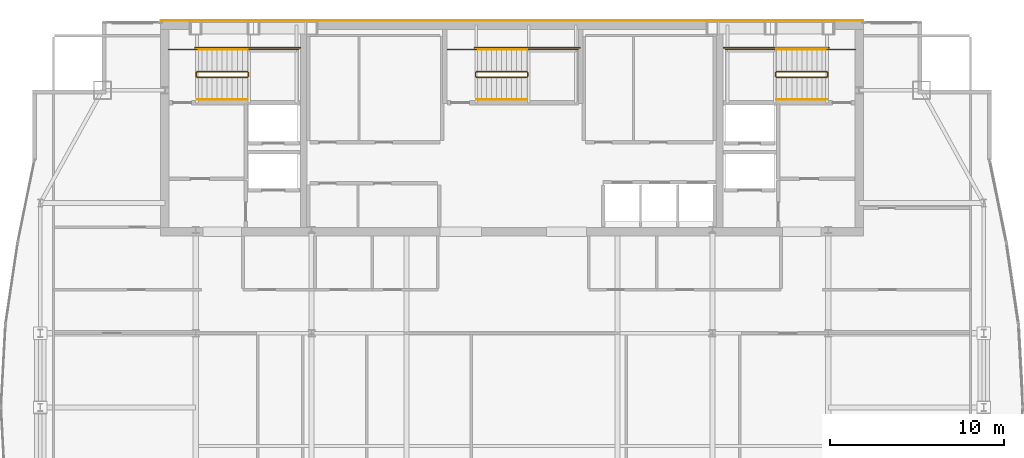
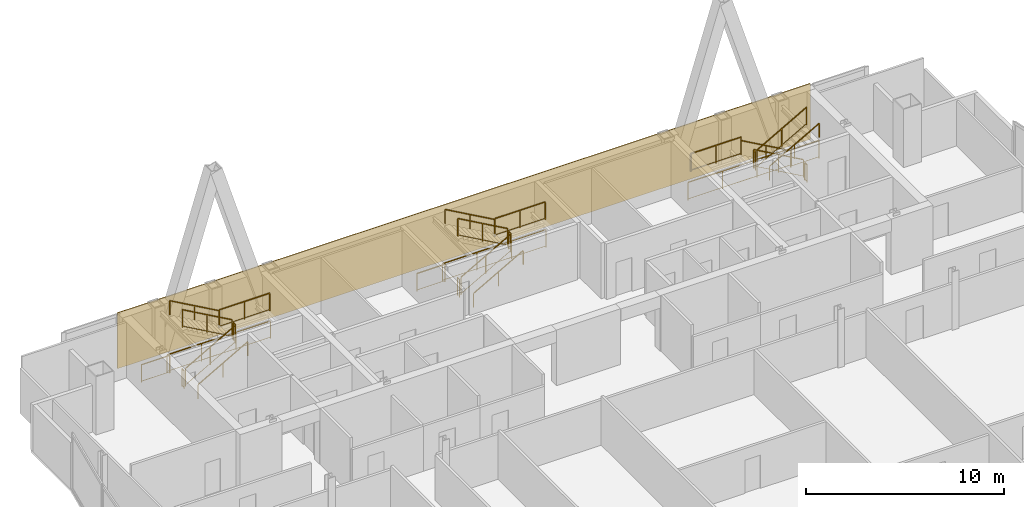
# One storey, part 31 of 31: 27 railings, 1 covering.
"""IFC4 building model written with IfcOpenShell, lengths in metres."""

from ifc_helpers import new_model, si_unit, direction, frame, origin, origin_2d, place, context, subcontext, project, spatial, polyline, rectangle, outline, extrude, material, layer, layer_set, type_object, element, save


model = new_model("IFC4")

# Units and contexts
model_context = context("Model", 3, precision=1e-05, world=origin(), true_north=direction((0.0, 1.0)))
body_context = subcontext(model_context, "Body", "Model", "MODEL_VIEW")
ifc_project = project(units=[si_unit("LENGTHUNIT", "METRE"), si_unit("AREAUNIT", "SQUARE_METRE"), si_unit("VOLUMEUNIT", "CUBIC_METRE"), si_unit("PLANEANGLEUNIT", "RADIAN"), si_unit("MASSUNIT", "GRAM", prefix="KILO")], contexts=[model_context])

# Site, building, storey
site_placement = place(None, origin())
site = spatial("IfcSite", under=ifc_project, at=site_placement, CompositionType="ELEMENT")
building_placement = place(site_placement, origin())
building = spatial("IfcBuilding", under=site, at=building_placement, Name="Khoronbel Lancet Exchange", CompositionType="ELEMENT")
storey_placement = place(building_placement, frame((0.0, 0.0, 273.39990234375)))
storey = spatial("IfcBuildingStorey", under=building, at=storey_placement, Name="L70", CompositionType="ELEMENT", Elevation=273.39990234375)

# Covering
ifc_material_1 = material(Name="Honed Egyptian Limestone & Bronze Rainscreen", Category="masonry")
ifc_layer = layer(ifc_material_1, 0.050048828125, Name="Honed Egyptian Limestone & Bronze Rainscreen")
ifc_layer_set = layer_set([ifc_layer], Name="Honed Egyptian Limestone & Bronze Rainscreen")
covering_type = type_object("IfcCoveringType", Name="COV-CLAD1", PredefinedType="CLADDING", material=ifc_layer_set)
covering_placement = place(storey_placement, origin())
element("IfcCovering", 1, at=covering_placement, inside=storey, type_object=covering_type, Name="Level L70 north rear-core stone and bronze rainscreen cladding", PredefinedType="CLADDING", context=body_context, shape_type="SweptSolid", body=[
    extrude(outline(polyline([(16.199951171875, 53.699951171875), (56.699951171875, 53.699951171875), (56.699951171875, 53.75), (16.199951171875, 53.75), (16.199951171875, 53.699951171875)])), origin(), (0.0, 0.0, 1.0), 3.440185546875),
])

# Railings
ifc_material_2 = material(Name="Painted Steel Balustrade", Category="steel")
railing_type_1 = type_object("IfcRailingType", Name="RL-STG110", PredefinedType="GUARDRAIL", material=ifc_material_2)
railing_1_placement = place(storey_placement, frame((18.300048828125, 50.449951171875, 0.163818359375)))
element("IfcRailing", 2, at=railing_1_placement, inside=storey, type_object=railing_type_1, Name="L70 ST1 stair guard 1", PredefinedType="GUARDRAIL", context=body_context, shape_type="SweptSolid", body=[
    extrude(rectangle(XDim=0.048095703125, YDim=0.048095703125, at=origin_2d()), frame((0.0, 0.0, 1.09619140625), z_axis=(0.870928581787, 0.0, 0.491409610636), x_axis=(0.0, 1.0, 0.0)), (0.0, 0.0, 1.0), 3.32958984375),
    extrude(rectangle(XDim=0.02392578125, YDim=0.02392578125, at=origin_2d()), frame((0.0, 0.0, 0.080078125), z_axis=(0.870928581787, 0.0, 0.491409610636), x_axis=(0.0, 1.0, 0.0)), (0.0, 0.0, 1.0), 3.32958984375),
    extrude(rectangle(XDim=0.0419921875, YDim=0.0419921875, at=origin_2d()), origin(), (0.0, 0.0, 1.0), 1.072021484375),
    extrude(rectangle(XDim=0.0419921875, YDim=0.0419921875, at=origin_2d()), frame((1.449951171875, 0.0, 0.818115234375)), (0.0, 0.0, 1.0), 1.072021484375),
    extrude(rectangle(XDim=0.0419921875, YDim=0.0419921875, at=origin_2d()), frame((2.89990234375, 0.0, 1.63623046875)), (0.0, 0.0, 1.0), 1.072021484375),
])
railing_2_placement = place(storey_placement, frame((21.25, 50.5, 1.800048828125)))
element("IfcRailing", 3, at=railing_2_placement, inside=storey, type_object=railing_type_1, Name="L70 ST1 stair guard 2", PredefinedType="GUARDRAIL", context=body_context, shape_type="SweptSolid", body=[
    extrude(rectangle(XDim=0.048095703125, YDim=0.048095703125, at=origin_2d()), frame((0.0, 0.0, 1.09619140625), z_axis=(0.0, 1.0, 0.0), x_axis=(-1.0, 0.0, 0.0)), (0.0, 0.0, 1.0), 0.219970703125),
    extrude(rectangle(XDim=0.02392578125, YDim=0.02392578125, at=origin_2d()), frame((0.0, 0.0, 0.080078125), z_axis=(0.0, 1.0, 0.0), x_axis=(-1.0, 0.0, 0.0)), (0.0, 0.0, 1.0), 0.219970703125),
    extrude(rectangle(XDim=0.0419921875, YDim=0.0419921875, at=origin_2d()), origin(), (0.0, 0.0, 1.0), 1.072021484375),
    extrude(rectangle(XDim=0.0419921875, YDim=0.0419921875, at=origin_2d()), frame((0.0, 0.219970703125, 0.0)), (0.0, 0.0, 1.0), 1.072021484375),
])
railing_3_placement = place(storey_placement, frame((21.199951171875, 52.050048828125, 1.800048828125)))
element("IfcRailing", 4, at=railing_3_placement, inside=storey, type_object=railing_type_1, Name="L70 ST1 stair guard 3", PredefinedType="GUARDRAIL", context=body_context, shape_type="SweptSolid", body=[
    extrude(rectangle(XDim=0.048095703125, YDim=0.048095703125, at=origin_2d()), frame((0.0, 0.0, 1.09619140625), z_axis=(1.0, 0.0, 0.0), x_axis=(0.0, 1.0, 0.0)), (0.0, 0.0, 1.0), 2.949951171875),
    extrude(rectangle(XDim=0.02392578125, YDim=0.02392578125, at=origin_2d()), frame((0.0, 0.0, 0.080078125), z_axis=(1.0, 0.0, 0.0), x_axis=(0.0, 1.0, 0.0)), (0.0, 0.0, 1.0), 2.949951171875),
    extrude(rectangle(XDim=0.0419921875, YDim=0.0419921875, at=origin_2d()), origin(), (0.0, 0.0, 1.0), 1.072021484375),
    extrude(rectangle(XDim=0.0419921875, YDim=0.0419921875, at=origin_2d()), frame((1.47509765625, 0.0, 0.0)), (0.0, 0.0, 1.0), 1.072021484375),
    extrude(rectangle(XDim=0.0419921875, YDim=0.0419921875, at=origin_2d()), frame((2.949951171875, 0.0, 0.0)), (0.0, 0.0, 1.0), 1.072021484375),
])
railing_4_placement = place(storey_placement, frame((21.199951171875, 50.77001953125, 1.963623046875)))
element("IfcRailing", 5, at=railing_4_placement, inside=storey, type_object=railing_type_1, Name="L70 ST1 stair guard 4", PredefinedType="GUARDRAIL", context=body_context, shape_type="SweptSolid", body=[
    extrude(rectangle(XDim=0.048095703125, YDim=0.048095703125, at=origin_2d()), frame((0.0, 0.0, 1.09619140625), z_axis=(-0.870897200241, 0.0, 0.491465224214), x_axis=(0.0, -1.0, 0.0)), (0.0, 0.0, 1.0), 3.329833984375),
    extrude(rectangle(XDim=0.02392578125, YDim=0.02392578125, at=origin_2d()), frame((0.0, 0.0, 0.080078125), z_axis=(-0.870897200241, 0.0, 0.491465224214), x_axis=(0.0, -1.0, 0.0)), (0.0, 0.0, 1.0), 3.329833984375),
    extrude(rectangle(XDim=0.0419921875, YDim=0.0419921875, at=origin_2d()), origin(), (0.0, 0.0, 1.0), 1.072021484375),
    extrude(rectangle(XDim=0.0419921875, YDim=0.0419921875, at=origin_2d()), frame((-1.449951171875, 0.0, 0.818359375)), (0.0, 0.0, 1.0), 1.072021484375),
    extrude(rectangle(XDim=0.0419921875, YDim=0.0419921875, at=origin_2d()), frame((-2.89990234375, 0.0, 1.636474609375)), (0.0, 0.0, 1.0), 1.072021484375),
])
railing_5_placement = place(storey_placement, frame((18.25, 50.5, 0.0)))
element("IfcRailing", 6, at=railing_5_placement, inside=storey, type_object=railing_type_1, Name="L70 ST1 stair guard 5", PredefinedType="GUARDRAIL", context=body_context, shape_type="SweptSolid", body=[
    extrude(rectangle(XDim=0.048095703125, YDim=0.048095703125, at=origin_2d()), frame((0.0, 0.0, 1.09619140625), z_axis=(0.0, 1.0, 0.0), x_axis=(-1.0, 0.0, 0.0)), (0.0, 0.0, 1.0), 0.219970703125),
    extrude(rectangle(XDim=0.02392578125, YDim=0.02392578125, at=origin_2d()), frame((0.0, 0.0, 0.080078125), z_axis=(0.0, 1.0, 0.0), x_axis=(-1.0, 0.0, 0.0)), (0.0, 0.0, 1.0), 0.219970703125),
    extrude(rectangle(XDim=0.0419921875, YDim=0.0419921875, at=origin_2d()), origin(), (0.0, 0.0, 1.0), 1.072021484375),
    extrude(rectangle(XDim=0.0419921875, YDim=0.0419921875, at=origin_2d()), frame((0.0, 0.219970703125, 0.0)), (0.0, 0.0, 1.0), 1.072021484375),
])
railing_6_placement = place(storey_placement, frame((16.64990234375, 52.050048828125, 0.0)))
element("IfcRailing", 7, at=railing_6_placement, inside=storey, type_object=railing_type_1, Name="L70 ST1 stair guard 6", PredefinedType="GUARDRAIL", context=body_context, shape_type="SweptSolid", body=[
    extrude(rectangle(XDim=0.048095703125, YDim=0.048095703125, at=origin_2d()), frame((0.0, 0.0, 1.09619140625), z_axis=(1.0, 0.0, 0.0), x_axis=(0.0, 1.0, 0.0)), (0.0, 0.0, 1.0), 1.650146484375),
    extrude(rectangle(XDim=0.02392578125, YDim=0.02392578125, at=origin_2d()), frame((0.0, 0.0, 0.080078125), z_axis=(1.0, 0.0, 0.0), x_axis=(0.0, 1.0, 0.0)), (0.0, 0.0, 1.0), 1.650146484375),
    extrude(rectangle(XDim=0.0419921875, YDim=0.0419921875, at=origin_2d()), origin(), (0.0, 0.0, 1.0), 1.072021484375),
    extrude(rectangle(XDim=0.0419921875, YDim=0.0419921875, at=origin_2d()), frame((1.650146484375, 0.0, 0.0)), (0.0, 0.0, 1.0), 1.072021484375),
])
railing_7_placement = place(storey_placement, frame((18.199951171875, 52.14990234375, 0.0)))
element("IfcRailing", 8, at=railing_7_placement, inside=storey, type_object=railing_type_1, Name="L70 ST1 stair guard 7", PredefinedType="GUARDRAIL", context=body_context, shape_type="SweptSolid", body=[
    extrude(rectangle(XDim=0.048095703125, YDim=0.048095703125, at=origin_2d()), frame((0.0, 0.0, 1.09619140625), z_axis=(1.0, 0.0, 0.0), x_axis=(0.0, 1.0, 0.0)), (0.0, 0.0, 1.0), 6.050048828125),
    extrude(rectangle(XDim=0.02392578125, YDim=0.02392578125, at=origin_2d()), frame((0.0, 0.0, 0.080078125), z_axis=(1.0, 0.0, 0.0), x_axis=(0.0, 1.0, 0.0)), (0.0, 0.0, 1.0), 6.050048828125),
    extrude(rectangle(XDim=0.0419921875, YDim=0.0419921875, at=origin_2d()), origin(), (0.0, 0.0, 1.0), 1.072021484375),
    extrude(rectangle(XDim=0.0419921875, YDim=0.0419921875, at=origin_2d()), frame((2.0166015625, 0.0, 0.0)), (0.0, 0.0, 1.0), 1.072021484375),
    extrude(rectangle(XDim=0.0419921875, YDim=0.0419921875, at=origin_2d()), frame((4.033447265625, 0.0, 0.0)), (0.0, 0.0, 1.0), 1.072021484375),
    extrude(rectangle(XDim=0.0419921875, YDim=0.0419921875, at=origin_2d()), frame((6.050048828125, 0.0, 0.0)), (0.0, 0.0, 1.0), 1.072021484375),
])
railing_8_placement = place(storey_placement, frame((54.60009765625, 50.77001953125, 0.163818359375)))
element("IfcRailing", 9, at=railing_8_placement, inside=storey, type_object=railing_type_1, Name="L70 ST2 stair guard 1", PredefinedType="GUARDRAIL", context=body_context, shape_type="SweptSolid", body=[
    extrude(rectangle(XDim=0.048095703125, YDim=0.048095703125, at=origin_2d()), frame((0.0, 0.0, 1.09619140625), z_axis=(-0.870946286338, 0.0, 0.49137823142), x_axis=(0.0, -1.0, 0.0)), (0.0, 0.0, 1.0), 3.329833984375),
    extrude(rectangle(XDim=0.02392578125, YDim=0.02392578125, at=origin_2d()), frame((0.0, 0.0, 0.080078125), z_axis=(-0.870946286338, 0.0, 0.49137823142), x_axis=(0.0, -1.0, 0.0)), (0.0, 0.0, 1.0), 3.329833984375),
    extrude(rectangle(XDim=0.0419921875, YDim=0.0419921875, at=origin_2d()), origin(), (0.0, 0.0, 1.0), 1.072021484375),
    extrude(rectangle(XDim=0.0419921875, YDim=0.0419921875, at=origin_2d()), frame((-1.4501953125, 0.0, 0.818115234375)), (0.0, 0.0, 1.0), 1.072021484375),
    extrude(rectangle(XDim=0.0419921875, YDim=0.0419921875, at=origin_2d()), frame((-2.900146484375, 0.0, 1.63623046875)), (0.0, 0.0, 1.0), 1.072021484375),
])
railing_9_placement = place(storey_placement, frame((51.64990234375, 50.719970703125, 1.800048828125)))
element("IfcRailing", 10, at=railing_9_placement, inside=storey, type_object=railing_type_1, Name="L70 ST2 stair guard 2", PredefinedType="GUARDRAIL", context=body_context, shape_type="SweptSolid", body=[
    extrude(rectangle(XDim=0.048095703125, YDim=0.048095703125, at=origin_2d()), frame((0.0, 0.0, 1.09619140625), z_axis=(0.0, -1.0, 0.0), x_axis=(1.0, 0.0, 0.0)), (0.0, 0.0, 1.0), 0.219970703125),
    extrude(rectangle(XDim=0.02392578125, YDim=0.02392578125, at=origin_2d()), frame((0.0, 0.0, 0.080078125), z_axis=(0.0, -1.0, 0.0), x_axis=(1.0, 0.0, 0.0)), (0.0, 0.0, 1.0), 0.219970703125),
    extrude(rectangle(XDim=0.0419921875, YDim=0.0419921875, at=origin_2d()), origin(), (0.0, 0.0, 1.0), 1.072021484375),
    extrude(rectangle(XDim=0.0419921875, YDim=0.0419921875, at=origin_2d()), frame((0.0, -0.219970703125, 0.0)), (0.0, 0.0, 1.0), 1.072021484375),
])
railing_10_placement = place(storey_placement, frame((51.699951171875, 52.050048828125, 1.800048828125)))
element("IfcRailing", 11, at=railing_10_placement, inside=storey, type_object=railing_type_1, Name="L70 ST2 stair guard 3", PredefinedType="GUARDRAIL", context=body_context, shape_type="SweptSolid", body=[
    extrude(rectangle(XDim=0.048095703125, YDim=0.048095703125, at=origin_2d()), frame((0.0, 0.0, 1.09619140625), z_axis=(-1.0, 0.0, 0.0), x_axis=(0.0, -1.0, 0.0)), (0.0, 0.0, 1.0), 2.949951171875),
    extrude(rectangle(XDim=0.02392578125, YDim=0.02392578125, at=origin_2d()), frame((0.0, 0.0, 0.080078125), z_axis=(-1.0, 0.0, 0.0), x_axis=(0.0, -1.0, 0.0)), (0.0, 0.0, 1.0), 2.949951171875),
    extrude(rectangle(XDim=0.0419921875, YDim=0.0419921875, at=origin_2d()), origin(), (0.0, 0.0, 1.0), 1.072021484375),
    extrude(rectangle(XDim=0.0419921875, YDim=0.0419921875, at=origin_2d()), frame((-1.47509765625, 0.0, 0.0)), (0.0, 0.0, 1.0), 1.072021484375),
    extrude(rectangle(XDim=0.0419921875, YDim=0.0419921875, at=origin_2d()), frame((-2.949951171875, 0.0, 0.0)), (0.0, 0.0, 1.0), 1.072021484375),
])
railing_11_placement = place(storey_placement, frame((51.699951171875, 50.449951171875, 1.963623046875)))
element("IfcRailing", 12, at=railing_11_placement, inside=storey, type_object=railing_type_1, Name="L70 ST2 stair guard 4", PredefinedType="GUARDRAIL", context=body_context, shape_type="SweptSolid", body=[
    extrude(rectangle(XDim=0.048095703125, YDim=0.048095703125, at=origin_2d()), frame((0.0, 0.0, 1.09619140625), z_axis=(0.870914908162, 0.0, 0.491433843708), x_axis=(0.0, 1.0, 0.0)), (0.0, 0.0, 1.0), 3.330078125),
    extrude(rectangle(XDim=0.02392578125, YDim=0.02392578125, at=origin_2d()), frame((0.0, 0.0, 0.080078125), z_axis=(0.870914908162, 0.0, 0.491433843708), x_axis=(0.0, 1.0, 0.0)), (0.0, 0.0, 1.0), 3.330078125),
    extrude(rectangle(XDim=0.0419921875, YDim=0.0419921875, at=origin_2d()), origin(), (0.0, 0.0, 1.0), 1.072021484375),
    extrude(rectangle(XDim=0.0419921875, YDim=0.0419921875, at=origin_2d()), frame((1.4501953125, 0.0, 0.818359375)), (0.0, 0.0, 1.0), 1.072021484375),
    extrude(rectangle(XDim=0.0419921875, YDim=0.0419921875, at=origin_2d()), frame((2.900146484375, 0.0, 1.636474609375)), (0.0, 0.0, 1.0), 1.072021484375),
])
railing_12_placement = place(storey_placement, frame((54.64990234375, 50.719970703125, 0.0)))
element("IfcRailing", 13, at=railing_12_placement, inside=storey, type_object=railing_type_1, Name="L70 ST2 stair guard 5", PredefinedType="GUARDRAIL", context=body_context, shape_type="SweptSolid", body=[
    extrude(rectangle(XDim=0.048095703125, YDim=0.048095703125, at=origin_2d()), frame((0.0, 0.0, 1.09619140625), z_axis=(0.0, -1.0, 0.0), x_axis=(1.0, 0.0, 0.0)), (0.0, 0.0, 1.0), 0.219970703125),
    extrude(rectangle(XDim=0.02392578125, YDim=0.02392578125, at=origin_2d()), frame((0.0, 0.0, 0.080078125), z_axis=(0.0, -1.0, 0.0), x_axis=(1.0, 0.0, 0.0)), (0.0, 0.0, 1.0), 0.219970703125),
    extrude(rectangle(XDim=0.0419921875, YDim=0.0419921875, at=origin_2d()), origin(), (0.0, 0.0, 1.0), 1.072021484375),
    extrude(rectangle(XDim=0.0419921875, YDim=0.0419921875, at=origin_2d()), frame((0.0, -0.219970703125, 0.0)), (0.0, 0.0, 1.0), 1.072021484375),
])
railing_13_placement = place(storey_placement, frame((56.25, 52.050048828125, 0.0)))
element("IfcRailing", 14, at=railing_13_placement, inside=storey, type_object=railing_type_1, Name="L70 ST2 stair guard 6", PredefinedType="GUARDRAIL", context=body_context, shape_type="SweptSolid", body=[
    extrude(rectangle(XDim=0.048095703125, YDim=0.048095703125, at=origin_2d()), frame((0.0, 0.0, 1.09619140625), z_axis=(-1.0, 0.0, 0.0), x_axis=(0.0, -1.0, 0.0)), (0.0, 0.0, 1.0), 1.64990234375),
    extrude(rectangle(XDim=0.02392578125, YDim=0.02392578125, at=origin_2d()), frame((0.0, 0.0, 0.080078125), z_axis=(-1.0, 0.0, 0.0), x_axis=(0.0, -1.0, 0.0)), (0.0, 0.0, 1.0), 1.64990234375),
    extrude(rectangle(XDim=0.0419921875, YDim=0.0419921875, at=origin_2d()), origin(), (0.0, 0.0, 1.0), 1.072021484375),
    extrude(rectangle(XDim=0.0419921875, YDim=0.0419921875, at=origin_2d()), frame((-1.64990234375, 0.0, 0.0)), (0.0, 0.0, 1.0), 1.072021484375),
])
railing_14_placement = place(storey_placement, frame((54.699951171875, 52.14990234375, 0.0)))
element("IfcRailing", 15, at=railing_14_placement, inside=storey, type_object=railing_type_1, Name="L70 ST2 stair guard 7", PredefinedType="GUARDRAIL", context=body_context, shape_type="SweptSolid", body=[
    extrude(rectangle(XDim=0.048095703125, YDim=0.048095703125, at=origin_2d()), frame((0.0, 0.0, 1.09619140625), z_axis=(-1.0, 0.0, 0.0), x_axis=(0.0, -1.0, 0.0)), (0.0, 0.0, 1.0), 6.050048828125),
    extrude(rectangle(XDim=0.02392578125, YDim=0.02392578125, at=origin_2d()), frame((0.0, 0.0, 0.080078125), z_axis=(-1.0, 0.0, 0.0), x_axis=(0.0, -1.0, 0.0)), (0.0, 0.0, 1.0), 6.050048828125),
    extrude(rectangle(XDim=0.0419921875, YDim=0.0419921875, at=origin_2d()), origin(), (0.0, 0.0, 1.0), 1.072021484375),
    extrude(rectangle(XDim=0.0419921875, YDim=0.0419921875, at=origin_2d()), frame((-2.0166015625, 0.0, 0.0)), (0.0, 0.0, 1.0), 1.072021484375),
    extrude(rectangle(XDim=0.0419921875, YDim=0.0419921875, at=origin_2d()), frame((-4.033447265625, 0.0, 0.0)), (0.0, 0.0, 1.0), 1.072021484375),
    extrude(rectangle(XDim=0.0419921875, YDim=0.0419921875, at=origin_2d()), frame((-6.050048828125, 0.0, 0.0)), (0.0, 0.0, 1.0), 1.072021484375),
])
railing_15_placement = place(storey_placement, frame((34.39990234375, 50.449951171875, 0.163818359375)))
element("IfcRailing", 16, at=railing_15_placement, inside=storey, type_object=railing_type_1, Name="L70 ST3 stair guard 1", PredefinedType="GUARDRAIL", context=body_context, shape_type="SweptSolid", body=[
    extrude(rectangle(XDim=0.048095703125, YDim=0.048095703125, at=origin_2d()), frame((0.0, 0.0, 1.09619140625), z_axis=(0.870946286338, 0.0, 0.49137823142), x_axis=(0.0, 1.0, 0.0)), (0.0, 0.0, 1.0), 3.329833984375),
    extrude(rectangle(XDim=0.02392578125, YDim=0.02392578125, at=origin_2d()), frame((0.0, 0.0, 0.080078125), z_axis=(0.870946286338, 0.0, 0.49137823142), x_axis=(0.0, 1.0, 0.0)), (0.0, 0.0, 1.0), 3.329833984375),
    extrude(rectangle(XDim=0.0419921875, YDim=0.0419921875, at=origin_2d()), origin(), (0.0, 0.0, 1.0), 1.072021484375),
    extrude(rectangle(XDim=0.0419921875, YDim=0.0419921875, at=origin_2d()), frame((1.4501953125, 0.0, 0.818115234375)), (0.0, 0.0, 1.0), 1.072021484375),
    extrude(rectangle(XDim=0.0419921875, YDim=0.0419921875, at=origin_2d()), frame((2.900146484375, 0.0, 1.63623046875)), (0.0, 0.0, 1.0), 1.072021484375),
])
railing_16_placement = place(storey_placement, frame((37.35009765625, 50.5, 1.800048828125)))
element("IfcRailing", 17, at=railing_16_placement, inside=storey, type_object=railing_type_1, Name="L70 ST3 stair guard 2", PredefinedType="GUARDRAIL", context=body_context, shape_type="SweptSolid", body=[
    extrude(rectangle(XDim=0.048095703125, YDim=0.048095703125, at=origin_2d()), frame((0.0, 0.0, 1.09619140625), z_axis=(0.0, 1.0, 0.0), x_axis=(-1.0, 0.0, 0.0)), (0.0, 0.0, 1.0), 0.219970703125),
    extrude(rectangle(XDim=0.02392578125, YDim=0.02392578125, at=origin_2d()), frame((0.0, 0.0, 0.080078125), z_axis=(0.0, 1.0, 0.0), x_axis=(-1.0, 0.0, 0.0)), (0.0, 0.0, 1.0), 0.219970703125),
    extrude(rectangle(XDim=0.0419921875, YDim=0.0419921875, at=origin_2d()), origin(), (0.0, 0.0, 1.0), 1.072021484375),
    extrude(rectangle(XDim=0.0419921875, YDim=0.0419921875, at=origin_2d()), frame((0.0, 0.219970703125, 0.0)), (0.0, 0.0, 1.0), 1.072021484375),
])
railing_17_placement = place(storey_placement, frame((37.300048828125, 52.050048828125, 1.800048828125)))
element("IfcRailing", 18, at=railing_17_placement, inside=storey, type_object=railing_type_1, Name="L70 ST3 stair guard 3", PredefinedType="GUARDRAIL", context=body_context, shape_type="SweptSolid", body=[
    extrude(rectangle(XDim=0.048095703125, YDim=0.048095703125, at=origin_2d()), frame((0.0, 0.0, 1.09619140625), z_axis=(1.0, 0.0, 0.0), x_axis=(0.0, 1.0, 0.0)), (0.0, 0.0, 1.0), 2.949951171875),
    extrude(rectangle(XDim=0.02392578125, YDim=0.02392578125, at=origin_2d()), frame((0.0, 0.0, 0.080078125), z_axis=(1.0, 0.0, 0.0), x_axis=(0.0, 1.0, 0.0)), (0.0, 0.0, 1.0), 2.949951171875),
    extrude(rectangle(XDim=0.0419921875, YDim=0.0419921875, at=origin_2d()), origin(), (0.0, 0.0, 1.0), 1.072021484375),
    extrude(rectangle(XDim=0.0419921875, YDim=0.0419921875, at=origin_2d()), frame((1.47509765625, 0.0, 0.0)), (0.0, 0.0, 1.0), 1.072021484375),
    extrude(rectangle(XDim=0.0419921875, YDim=0.0419921875, at=origin_2d()), frame((2.949951171875, 0.0, 0.0)), (0.0, 0.0, 1.0), 1.072021484375),
])
railing_18_placement = place(storey_placement, frame((37.300048828125, 50.77001953125, 1.963623046875)))
element("IfcRailing", 19, at=railing_18_placement, inside=storey, type_object=railing_type_1, Name="L70 ST3 stair guard 4", PredefinedType="GUARDRAIL", context=body_context, shape_type="SweptSolid", body=[
    extrude(rectangle(XDim=0.048095703125, YDim=0.048095703125, at=origin_2d()), frame((0.0, 0.0, 1.09619140625), z_axis=(-0.870914908162, 0.0, 0.491433843708), x_axis=(0.0, -1.0, 0.0)), (0.0, 0.0, 1.0), 3.330078125),
    extrude(rectangle(XDim=0.02392578125, YDim=0.02392578125, at=origin_2d()), frame((0.0, 0.0, 0.080078125), z_axis=(-0.870914908162, 0.0, 0.491433843708), x_axis=(0.0, -1.0, 0.0)), (0.0, 0.0, 1.0), 3.330078125),
    extrude(rectangle(XDim=0.0419921875, YDim=0.0419921875, at=origin_2d()), origin(), (0.0, 0.0, 1.0), 1.072021484375),
    extrude(rectangle(XDim=0.0419921875, YDim=0.0419921875, at=origin_2d()), frame((-1.4501953125, 0.0, 0.818359375)), (0.0, 0.0, 1.0), 1.072021484375),
    extrude(rectangle(XDim=0.0419921875, YDim=0.0419921875, at=origin_2d()), frame((-2.900146484375, 0.0, 1.636474609375)), (0.0, 0.0, 1.0), 1.072021484375),
])
railing_19_placement = place(storey_placement, frame((34.35009765625, 50.5, 0.0)))
element("IfcRailing", 20, at=railing_19_placement, inside=storey, type_object=railing_type_1, Name="L70 ST3 stair guard 5", PredefinedType="GUARDRAIL", context=body_context, shape_type="SweptSolid", body=[
    extrude(rectangle(XDim=0.048095703125, YDim=0.048095703125, at=origin_2d()), frame((0.0, 0.0, 1.09619140625), z_axis=(0.0, 1.0, 0.0), x_axis=(-1.0, 0.0, 0.0)), (0.0, 0.0, 1.0), 0.219970703125),
    extrude(rectangle(XDim=0.02392578125, YDim=0.02392578125, at=origin_2d()), frame((0.0, 0.0, 0.080078125), z_axis=(0.0, 1.0, 0.0), x_axis=(-1.0, 0.0, 0.0)), (0.0, 0.0, 1.0), 0.219970703125),
    extrude(rectangle(XDim=0.0419921875, YDim=0.0419921875, at=origin_2d()), origin(), (0.0, 0.0, 1.0), 1.072021484375),
    extrude(rectangle(XDim=0.0419921875, YDim=0.0419921875, at=origin_2d()), frame((0.0, 0.219970703125, 0.0)), (0.0, 0.0, 1.0), 1.072021484375),
])
railing_20_placement = place(storey_placement, frame((32.75, 52.050048828125, 0.0)))
element("IfcRailing", 21, at=railing_20_placement, inside=storey, type_object=railing_type_1, Name="L70 ST3 stair guard 6", PredefinedType="GUARDRAIL", context=body_context, shape_type="SweptSolid", body=[
    extrude(rectangle(XDim=0.048095703125, YDim=0.048095703125, at=origin_2d()), frame((0.0, 0.0, 1.09619140625), z_axis=(1.0, 0.0, 0.0), x_axis=(0.0, 1.0, 0.0)), (0.0, 0.0, 1.0), 1.64990234375),
    extrude(rectangle(XDim=0.02392578125, YDim=0.02392578125, at=origin_2d()), frame((0.0, 0.0, 0.080078125), z_axis=(1.0, 0.0, 0.0), x_axis=(0.0, 1.0, 0.0)), (0.0, 0.0, 1.0), 1.64990234375),
    extrude(rectangle(XDim=0.0419921875, YDim=0.0419921875, at=origin_2d()), origin(), (0.0, 0.0, 1.0), 1.072021484375),
    extrude(rectangle(XDim=0.0419921875, YDim=0.0419921875, at=origin_2d()), frame((1.64990234375, 0.0, 0.0)), (0.0, 0.0, 1.0), 1.072021484375),
])
railing_21_placement = place(storey_placement, frame((34.300048828125, 52.14990234375, 0.0)))
element("IfcRailing", 22, at=railing_21_placement, inside=storey, type_object=railing_type_1, Name="L70 ST3 stair guard 7", PredefinedType="GUARDRAIL", context=body_context, shape_type="SweptSolid", body=[
    extrude(rectangle(XDim=0.048095703125, YDim=0.048095703125, at=origin_2d()), frame((0.0, 0.0, 1.09619140625), z_axis=(1.0, 0.0, 0.0), x_axis=(0.0, 1.0, 0.0)), (0.0, 0.0, 1.0), 6.050048828125),
    extrude(rectangle(XDim=0.02392578125, YDim=0.02392578125, at=origin_2d()), frame((0.0, 0.0, 0.080078125), z_axis=(1.0, 0.0, 0.0), x_axis=(0.0, 1.0, 0.0)), (0.0, 0.0, 1.0), 6.050048828125),
    extrude(rectangle(XDim=0.0419921875, YDim=0.0419921875, at=origin_2d()), origin(), (0.0, 0.0, 1.0), 1.072021484375),
    extrude(rectangle(XDim=0.0419921875, YDim=0.0419921875, at=origin_2d()), frame((2.0166015625, 0.0, 0.0)), (0.0, 0.0, 1.0), 1.072021484375),
    extrude(rectangle(XDim=0.0419921875, YDim=0.0419921875, at=origin_2d()), frame((4.033447265625, 0.0, 0.0)), (0.0, 0.0, 1.0), 1.072021484375),
    extrude(rectangle(XDim=0.0419921875, YDim=0.0419921875, at=origin_2d()), frame((6.050048828125, 0.0, 0.0)), (0.0, 0.0, 1.0), 1.072021484375),
])
ifc_material_3 = material(Name="Brushed Stainless Steel 316", Category="steel")
railing_type_2 = type_object("IfcRailingType", Name="RL-STH92", PredefinedType="HANDRAIL", material=ifc_material_3)
railing_22_placement = place(storey_placement, frame((18.300048828125, 49.169921875, 0.163818359375)))
element("IfcRailing", 23, at=railing_22_placement, inside=storey, type_object=railing_type_2, Name="L70 ST1 stair handrail 1", PredefinedType="HANDRAIL", context=body_context, shape_type="SweptSolid", body=[
    extrude(rectangle(XDim=0.048095703125, YDim=0.048095703125, at=origin_2d()), frame((0.0, 0.0, 0.8759765625), z_axis=(0.870928581787, 0.0, 0.491409610636), x_axis=(0.0, 1.0, 0.0)), (0.0, 0.0, 1.0), 3.32958984375),
    extrude(rectangle(XDim=0.0419921875, YDim=0.0419921875, at=origin_2d()), origin(), (0.0, 0.0, 1.0), 0.851806640625),
    extrude(rectangle(XDim=0.0419921875, YDim=0.0419921875, at=origin_2d()), frame((1.449951171875, 0.0, 0.818115234375)), (0.0, 0.0, 1.0), 0.851806640625),
    extrude(rectangle(XDim=0.0419921875, YDim=0.0419921875, at=origin_2d()), frame((2.89990234375, 0.0, 1.63623046875)), (0.0, 0.0, 1.0), 0.851806640625),
])
railing_23_placement = place(storey_placement, frame((21.199951171875, 52.050048828125, 1.963623046875)))
element("IfcRailing", 24, at=railing_23_placement, inside=storey, type_object=railing_type_2, Name="L70 ST1 stair handrail 2", PredefinedType="HANDRAIL", context=body_context, shape_type="SweptSolid", body=[
    extrude(rectangle(XDim=0.048095703125, YDim=0.048095703125, at=origin_2d()), frame((0.0, 0.0, 0.8759765625), z_axis=(-0.870897200241, 0.0, 0.491465224214), x_axis=(0.0, -1.0, 0.0)), (0.0, 0.0, 1.0), 3.329833984375),
    extrude(rectangle(XDim=0.0419921875, YDim=0.0419921875, at=origin_2d()), origin(), (0.0, 0.0, 1.0), 0.851806640625),
    extrude(rectangle(XDim=0.0419921875, YDim=0.0419921875, at=origin_2d()), frame((-1.449951171875, 0.0, 0.818359375)), (0.0, 0.0, 1.0), 0.851806640625),
    extrude(rectangle(XDim=0.0419921875, YDim=0.0419921875, at=origin_2d()), frame((-2.89990234375, 0.0, 1.636474609375)), (0.0, 0.0, 1.0), 0.851806640625),
])
railing_24_placement = place(storey_placement, frame((54.60009765625, 52.050048828125, 0.163818359375)))
element("IfcRailing", 25, at=railing_24_placement, inside=storey, type_object=railing_type_2, Name="L70 ST2 stair handrail 1", PredefinedType="HANDRAIL", context=body_context, shape_type="SweptSolid", body=[
    extrude(rectangle(XDim=0.048095703125, YDim=0.048095703125, at=origin_2d()), frame((0.0, 0.0, 0.8759765625), z_axis=(-0.870946286338, 0.0, 0.49137823142), x_axis=(0.0, -1.0, 0.0)), (0.0, 0.0, 1.0), 3.329833984375),
    extrude(rectangle(XDim=0.0419921875, YDim=0.0419921875, at=origin_2d()), origin(), (0.0, 0.0, 1.0), 0.851806640625),
    extrude(rectangle(XDim=0.0419921875, YDim=0.0419921875, at=origin_2d()), frame((-1.4501953125, 0.0, 0.818115234375)), (0.0, 0.0, 1.0), 0.851806640625),
    extrude(rectangle(XDim=0.0419921875, YDim=0.0419921875, at=origin_2d()), frame((-2.900146484375, 0.0, 1.63623046875)), (0.0, 0.0, 1.0), 0.851806640625),
])
railing_25_placement = place(storey_placement, frame((51.699951171875, 49.169921875, 1.963623046875)))
element("IfcRailing", 26, at=railing_25_placement, inside=storey, type_object=railing_type_2, Name="L70 ST2 stair handrail 2", PredefinedType="HANDRAIL", context=body_context, shape_type="SweptSolid", body=[
    extrude(rectangle(XDim=0.048095703125, YDim=0.048095703125, at=origin_2d()), frame((0.0, 0.0, 0.8759765625), z_axis=(0.870914908162, 0.0, 0.491433843708), x_axis=(0.0, 1.0, 0.0)), (0.0, 0.0, 1.0), 3.330078125),
    extrude(rectangle(XDim=0.0419921875, YDim=0.0419921875, at=origin_2d()), origin(), (0.0, 0.0, 1.0), 0.851806640625),
    extrude(rectangle(XDim=0.0419921875, YDim=0.0419921875, at=origin_2d()), frame((1.4501953125, 0.0, 0.818359375)), (0.0, 0.0, 1.0), 0.851806640625),
    extrude(rectangle(XDim=0.0419921875, YDim=0.0419921875, at=origin_2d()), frame((2.900146484375, 0.0, 1.636474609375)), (0.0, 0.0, 1.0), 0.851806640625),
])
railing_26_placement = place(storey_placement, frame((34.39990234375, 49.169921875, 0.163818359375)))
element("IfcRailing", 27, at=railing_26_placement, inside=storey, type_object=railing_type_2, Name="L70 ST3 stair handrail 1", PredefinedType="HANDRAIL", context=body_context, shape_type="SweptSolid", body=[
    extrude(rectangle(XDim=0.048095703125, YDim=0.048095703125, at=origin_2d()), frame((0.0, 0.0, 0.8759765625), z_axis=(0.870946286338, 0.0, 0.49137823142), x_axis=(0.0, 1.0, 0.0)), (0.0, 0.0, 1.0), 3.329833984375),
    extrude(rectangle(XDim=0.0419921875, YDim=0.0419921875, at=origin_2d()), origin(), (0.0, 0.0, 1.0), 0.851806640625),
    extrude(rectangle(XDim=0.0419921875, YDim=0.0419921875, at=origin_2d()), frame((1.4501953125, 0.0, 0.818115234375)), (0.0, 0.0, 1.0), 0.851806640625),
    extrude(rectangle(XDim=0.0419921875, YDim=0.0419921875, at=origin_2d()), frame((2.900146484375, 0.0, 1.63623046875)), (0.0, 0.0, 1.0), 0.851806640625),
])
railing_27_placement = place(storey_placement, frame((37.300048828125, 52.050048828125, 1.963623046875)))
element("IfcRailing", 28, at=railing_27_placement, inside=storey, type_object=railing_type_2, Name="L70 ST3 stair handrail 2", PredefinedType="HANDRAIL", context=body_context, shape_type="SweptSolid", body=[
    extrude(rectangle(XDim=0.048095703125, YDim=0.048095703125, at=origin_2d()), frame((0.0, 0.0, 0.8759765625), z_axis=(-0.870914908162, 0.0, 0.491433843708), x_axis=(0.0, -1.0, 0.0)), (0.0, 0.0, 1.0), 3.330078125),
    extrude(rectangle(XDim=0.0419921875, YDim=0.0419921875, at=origin_2d()), origin(), (0.0, 0.0, 1.0), 0.851806640625),
    extrude(rectangle(XDim=0.0419921875, YDim=0.0419921875, at=origin_2d()), frame((-1.4501953125, 0.0, 0.818359375)), (0.0, 0.0, 1.0), 0.851806640625),
    extrude(rectangle(XDim=0.0419921875, YDim=0.0419921875, at=origin_2d()), frame((-2.900146484375, 0.0, 1.636474609375)), (0.0, 0.0, 1.0), 0.851806640625),
])

save(model, "model.ifc")
